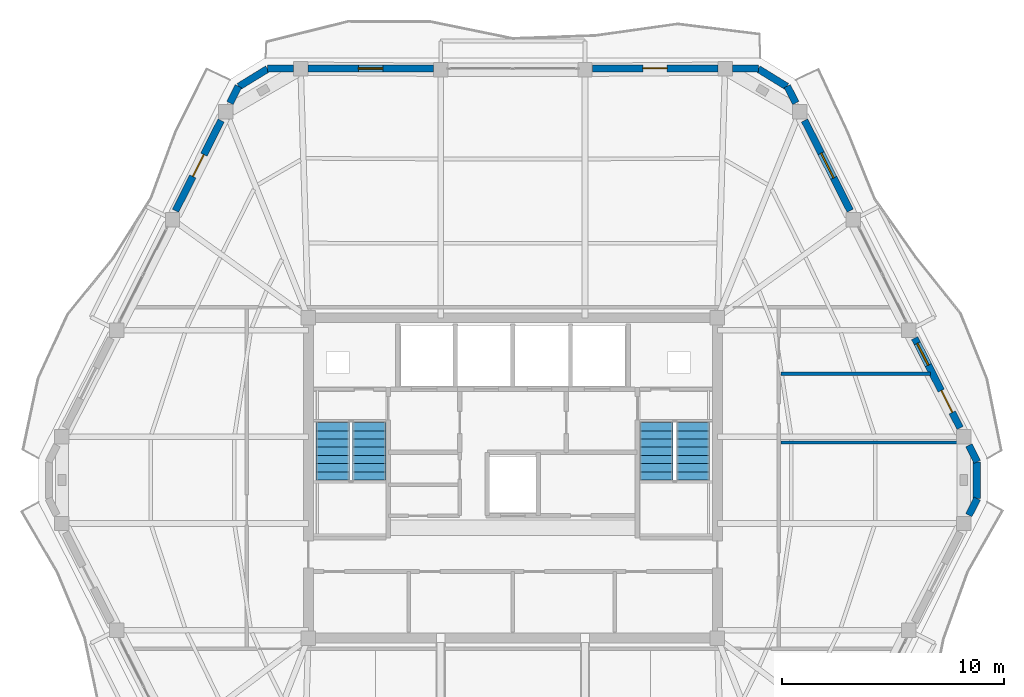
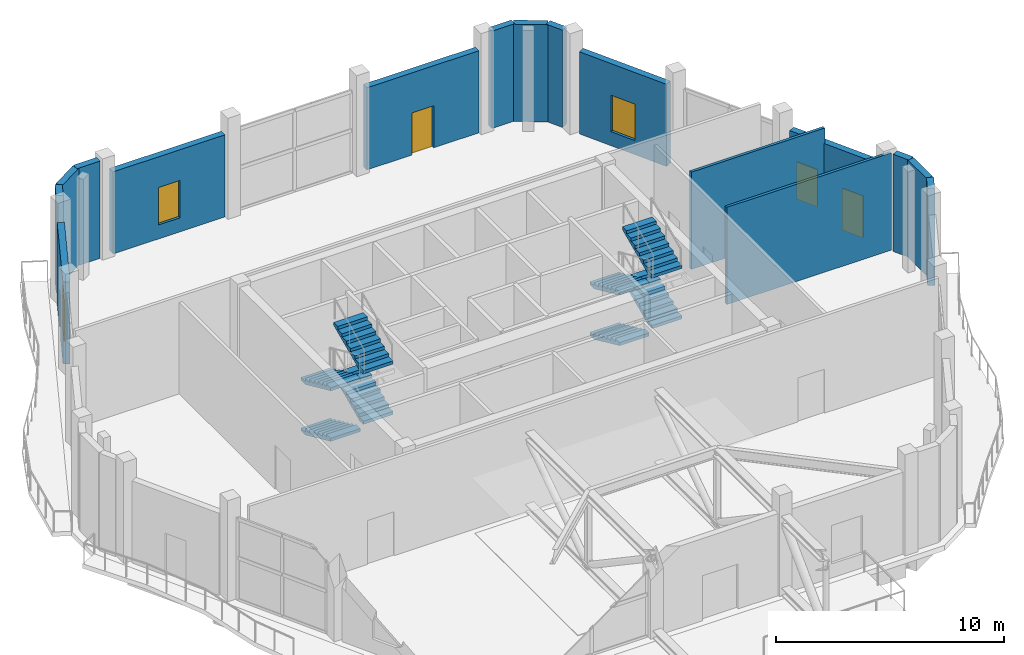
# One storey, part 20 of 23: 16 walls, 8 stair flights, 3 doors, 3 windows, 6 openings, 2 elements without a shape of their own.
"""IFC4 building model written with IfcOpenShell, lengths in metres."""

from ifc_helpers import new_model, si_unit, direction, frame, frame_2d, origin, place, context, subcontext, project, spatial, polyline, rectangle, outline, extrude, material, layer, layer_set, type_object, element, fill, aggregate, save


model = new_model("IFC4")

# Units and contexts
model_context = context("Model", 3, precision=1e-05, world=origin(), true_north=direction((0.0, 1.0)))
body_context = subcontext(model_context, "Body", "Model", "MODEL_VIEW")
ifc_project = project(units=[si_unit("LENGTHUNIT", "METRE"), si_unit("AREAUNIT", "SQUARE_METRE"), si_unit("VOLUMEUNIT", "CUBIC_METRE"), si_unit("PLANEANGLEUNIT", "RADIAN"), si_unit("MASSUNIT", "GRAM", prefix="KILO")], contexts=[model_context])

# Site, building, storey
site_placement = place(None, origin())
site = spatial("IfcSite", under=ifc_project, at=site_placement, CompositionType="ELEMENT")
building_placement = place(site_placement, origin())
building = spatial("IfcBuilding", under=site, at=building_placement, Name="Cinnabar Lancet Tower", CompositionType="ELEMENT")
storey_placement = place(building_placement, frame((0.0, 0.0, 278.10009765625)))
storey = spatial("IfcBuildingStorey", under=building, at=storey_placement, Name="L74", CompositionType="ELEMENT", Elevation=278.10009765625)

# Walls
ifc_material_1 = material(Name="Moisture-resistant cement-board plumbing wall", Category="masonry")
ifc_layer_1 = layer(ifc_material_1, 0.139892578125)
ifc_layer_set_1 = layer_set([ifc_layer_1], Name="Moisture-resistant cement-board plumbing wall")
wall_type_1 = type_object("IfcWallType", Name="ARC-WL-WET-140", PredefinedType="PLUMBINGWALL", material=ifc_layer_set_1)
wall_1_placement = place(storey_placement, frame((44.485107421875, 27.5, 0.0), z_axis=(0.0, 0.0, 1.0), x_axis=(1.0, 0.0, 0.0)))
element("IfcWall", 1, at=wall_1_placement, inside=storey, type_object=wall_type_1, Name="PW-L74-WCD", PredefinedType="PLUMBINGWALL", context=body_context, shape_type="SweptSolid", body=[
    extrude(rectangle(XDim=8.32177734375, YDim=0.139892578125, at=frame_2d((4.160888671875, 0.0))), origin(), (0.0, 0.0, 1.0), 5.199951171875),
])
wall_2_placement = place(storey_placement, frame((44.485107421875, 30.60009765625, 0.0), z_axis=(0.0, 0.0, 1.0), x_axis=(1.0, 0.0, 0.0)))
element("IfcWall", 2, at=wall_2_placement, inside=storey, type_object=wall_type_1, Name="PW-L74-WCM", PredefinedType="PLUMBINGWALL", context=body_context, shape_type="SweptSolid", body=[
    extrude(rectangle(XDim=6.75390625, YDim=0.139892578125, at=frame_2d((3.376953125, 0.0))), origin(), (0.0, 0.0, 1.0), 5.199951171875),
])
ifc_material_2 = material(Name="Warm buff clay brick", Category="masonry")
ifc_layer_2 = layer(ifc_material_2, 0.320068359375)
ifc_layer_set_2 = layer_set([ifc_layer_2], Name="Warm buff clay brick")
wall_type_2 = type_object("IfcWallType", Name="ENV-WL-BRK-BUF-320", PredefinedType="STANDARD", material=ifc_layer_set_2)
wall_3_placement = place(storey_placement, frame((53.322998046875, 24.97802734375, 0.0), z_axis=(0.0, 0.0, 1.0), x_axis=(0.0, 1.0, 0.0)))
element("IfcWall", 3, at=wall_3_placement, inside=storey, type_object=wall_type_2, Name="L74 Chamfered Corner Brick Pier 3.1", PredefinedType="STANDARD", context=body_context, shape_type="SweptSolid", body=[
    extrude(rectangle(XDim=1.64404296875, YDim=0.320068359375, at=frame_2d((0.822021484375, 0.0))), origin(), (0.0, 0.0, 1.0), 5.199951171875),
])
wall_4_placement = place(storey_placement, frame((44.7548828125, 43.553955078125, 0.0), z_axis=(0.0, 0.0, 1.0), x_axis=(-0.851813523106, 0.523845131555, 0.0)))
element("IfcWall", 4, at=wall_4_placement, inside=storey, type_object=wall_type_2, Name="L74 Chamfered Corner Brick Pier 4.1", PredefinedType="STANDARD", context=body_context, shape_type="SweptSolid", body=[
    extrude(rectangle(XDim=1.511962890625, YDim=0.320068359375, at=frame_2d((0.755859375, 0.0))), origin(), (0.0, 0.0, 1.0), 5.199951171875),
])
wall_5_placement = place(storey_placement, frame((21.3330078125, 44.345947265625, 0.0), z_axis=(0.0, 0.0, 1.0), x_axis=(-0.851857826631, -0.523773083698, 0.0)))
element("IfcWall", 5, at=wall_5_placement, inside=storey, type_object=wall_type_2, Name="L74 Chamfered Corner Brick Pier 5.1", PredefinedType="STANDARD", context=body_context, shape_type="SweptSolid", body=[
    extrude(rectangle(XDim=1.51220703125, YDim=0.320068359375, at=frame_2d((0.756103515625, 0.0))), origin(), (0.0, 0.0, 1.0), 5.199951171875),
])
wall_6_placement = place(storey_placement, frame((52.965087890625, 24.22412109375, 0.0), z_axis=(0.0, 0.0, 1.0), x_axis=(0.45152529514, 0.892258319014, 0.0)))
element("IfcWall", 6, at=wall_6_placement, inside=storey, type_object=wall_type_2, Name="L74 Face 2 Masonry Bay Wall 5", PredefinedType="STANDARD", context=body_context, shape_type="SweptSolid", body=[
    extrude(rectangle(XDim=0.8369140625, YDim=0.320068359375, at=frame_2d((0.41845703125, 0.0))), origin(), (0.0, 0.0, 1.0), 5.199951171875),
])
wall_7_placement = place(storey_placement, frame((53.343017578125, 26.62890625, 0.0), z_axis=(0.0, 0.0, 1.0), x_axis=(-0.451407809369, 0.892317762706, 0.0)))
element("IfcWall", 7, at=wall_7_placement, inside=storey, type_object=wall_type_2, Name="L74 Face 3 Masonry Bay Wall 1", PredefinedType="STANDARD", context=body_context, shape_type="SweptSolid", body=[
    extrude(rectangle(XDim=0.837158203125, YDim=0.320068359375, at=frame_2d((0.41845703125, 0.0))), origin(), (0.0, 0.0, 1.0), 5.199951171875),
])

# Wall, openings, door, window
wall_8_placement = place(storey_placement, frame((52.571044921875, 28.156005859375, 0.0), z_axis=(0.0, 0.0, 1.0), x_axis=(-0.451557557387, 0.892241992044, 0.0)))
wall_8 = element("IfcWall", 8, at=wall_8_placement, inside=storey, type_object=wall_type_2, Name="L74 Face 3 Masonry Bay Wall 2", PredefinedType="STANDARD", context=body_context, shape_type="SweptSolid", body=[
    extrude(rectangle(XDim=4.53564453125, YDim=0.320068359375, at=frame_2d((2.267822265625, 0.0))), origin(), (0.0, 0.0, 1.0), 4.389892578125),
])
opening_1_placement = place(wall_8_placement, frame((0.781982421875, 0.0, 0.0)))
opening_1 = element("IfcOpeningElement", 9, at=opening_1_placement, cuts=wall_8, Name="Opening TD-01", PredefinedType="OPENING", context=body_context, shape_type="SweptSolid", body=[
    extrude(rectangle(XDim=1.10009765625, YDim=2.25, at=frame_2d((0.550048828125, 1.125))), frame((0.0, 0.169921875, 0.0), z_axis=(0.0, -1.0, 0.0), x_axis=(1.0, 0.0, 0.0)), (0.0, 0.0, 1.0), 0.340087890625),
])
opening_2_placement = place(wall_8_placement, frame((3.173095703125, 0.0, 0.75)))
opening_2 = element("IfcOpeningElement", 10, at=opening_2_placement, cuts=wall_8, Name="Opening WN-04", PredefinedType="OPENING", context=body_context, shape_type="SweptSolid", body=[
    extrude(rectangle(XDim=1.10009765625, YDim=2.0, at=frame_2d((0.550048828125, 1.0))), frame((0.0, 0.169921875, 0.0), z_axis=(0.0, -1.0, 0.0), x_axis=(1.0, 0.0, 0.0)), (0.0, 0.0, 1.0), 0.340087890625),
])
ifc_material_3 = material(Name="Thermally broken low-E glazed balcony terrace door", Category="wood")
door_type = type_object("IfcDoorType", Name="ARC-DR-BALC", OperationType="NOTDEFINED", PredefinedType="DOOR", material=ifc_material_3)
door_1_placement = place(opening_1_placement, origin())
door_1 = element("IfcDoor", 11, at=door_1_placement, inside=storey, type_object=door_type, Name="L74 Face 3 Glazed Terrace Door", OperationType="SINGLE_SWING_RIGHT", OverallHeight=2.25, OverallWidth=1.10009765625, PredefinedType="DOOR", context=body_context, shape_type="SweptSolid", body=[
    extrude(rectangle(XDim=1.10009765625, YDim=2.25, at=frame_2d((0.550048828125, 1.125))), frame((0.0, 0.02490234375, 0.0), z_axis=(0.0, -1.0, 0.0), x_axis=(1.0, 0.0, 0.0)), (0.0, 0.0, 1.0), 0.050048828125),
])
fill(opening_1, door_1)
ifc_material_4 = material(Name="Thermally broken bronze-anodized aluminium tall lancet window", Category="aluminium")
window_type_1 = type_object("IfcWindowType", Name="ENV-WN-LANCET-1100", PartitioningType="SINGLE_PANEL", PredefinedType="WINDOW", material=ifc_material_4)
window_1_placement = place(opening_2_placement, origin())
window_1 = element("IfcWindow", 12, at=window_1_placement, inside=storey, type_object=window_type_1, Name="L74 Split-Bay Gothic Lancet Window 276", OverallHeight=2.0, OverallWidth=1.10009765625, PartitioningType="SINGLE_PANEL", PredefinedType="WINDOW", context=body_context, shape_type="SweptSolid", body=[
    extrude(rectangle(XDim=1.10009765625, YDim=2.0, at=frame_2d((0.550048828125, 1.0))), frame((0.0, 0.030029296875, 0.0), z_axis=(0.0, -1.0, 0.0), x_axis=(1.0, 0.0, 0.0)), (0.0, 0.0, 1.0), 0.06005859375),
])
fill(opening_2, window_1)

# Wall, opening, window
wall_9_placement = place(storey_placement, frame((47.614013671875, 37.955078125, 0.0), z_axis=(0.0, 0.0, 1.0), x_axis=(-0.451449947598, 0.89229644447, 0.0)))
wall_9 = element("IfcWall", 13, at=wall_9_placement, inside=storey, type_object=wall_type_2, Name="L74 Face 3 Masonry Bay Wall 4", PredefinedType="STANDARD", context=body_context, shape_type="SweptSolid", body=[
    extrude(rectangle(XDim=4.558837890625, YDim=0.320068359375, at=frame_2d((2.279296875, 0.0))), origin(), (0.0, 0.0, 1.0), 4.389892578125),
])
opening_3_placement = place(wall_9_placement, frame((1.654052734375, 0.0, 0.75)))
opening_3 = element("IfcOpeningElement", 14, at=opening_3_placement, cuts=wall_9, Name="Opening WN-03", PredefinedType="OPENING", context=body_context, shape_type="SweptSolid", body=[
    extrude(rectangle(XDim=1.25, YDim=1.949951171875, at=frame_2d((0.625, 0.97509765625))), frame((0.0, 0.169921875, 0.0), z_axis=(0.0, -1.0, 0.0), x_axis=(1.0, 0.0, 0.0)), (0.0, 0.0, 1.0), 0.340087890625),
])
ifc_material_5 = material(Name="Thermally broken bronze-anodized aluminium low-E double glazing", Category="aluminium")
window_type_2 = type_object("IfcWindowType", Name="ENV-WN-LANCET-1250", PartitioningType="SINGLE_PANEL", PredefinedType="WINDOW", material=ifc_material_5)
window_2_placement = place(opening_3_placement, origin())
window_2 = element("IfcWindow", 15, at=window_2_placement, inside=storey, type_object=window_type_2, Name="L74 Face 3 Gothic Lancet Window 4", OverallHeight=1.949951171875, OverallWidth=1.25, PartitioningType="SINGLE_PANEL", PredefinedType="WINDOW", context=body_context, shape_type="SweptSolid", body=[
    extrude(rectangle(XDim=1.25, YDim=1.949951171875, at=frame_2d((0.625, 0.97509765625))), frame((0.0, 0.030029296875, 0.0), z_axis=(0.0, -1.0, 0.0), x_axis=(1.0, 0.0, 0.0)), (0.0, 0.0, 1.0), 0.06005859375),
])
fill(opening_3, window_2)

# Walls
wall_10_placement = place(storey_placement, frame((45.157958984375, 42.81005859375, 0.0), z_axis=(0.0, 0.0, 1.0), x_axis=(-0.451456201372, 0.892293280398, 0.0)))
element("IfcWall", 16, at=wall_10_placement, inside=storey, type_object=wall_type_2, Name="L74 Face 3 Masonry Bay Wall 5", PredefinedType="STANDARD", context=body_context, shape_type="SweptSolid", body=[
    extrude(rectangle(XDim=0.8505859375, YDim=0.320068359375, at=frame_2d((0.42529296875, 0.0))), origin(), (0.0, 0.0, 1.0), 5.199951171875),
])
wall_11_placement = place(storey_placement, frame((43.471923828125, 44.3701171875, 0.0), z_axis=(0.0, 0.0, 1.0), x_axis=(-1.0, 0.0, 0.0)))
element("IfcWall", 17, at=wall_11_placement, inside=storey, type_object=wall_type_2, Name="L74 Face 4 Masonry Bay Wall 1", PredefinedType="STANDARD", context=body_context, shape_type="SweptSolid", body=[
    extrude(rectangle(XDim=1.1708984375, YDim=0.320068359375, at=frame_2d((0.58544921875, 0.0))), origin(), (0.0, 0.0, 1.0), 5.199951171875),
])

# Wall, opening, door
wall_12_placement = place(storey_placement, frame((41.64306640625, 44.3701171875, 0.0), z_axis=(0.0, 0.0, 1.0), x_axis=(-1.0, 0.0, 0.0)))
wall_12 = element("IfcWall", 18, at=wall_12_placement, inside=storey, type_object=wall_type_2, Name="L74 Face 4 Masonry Bay Wall 2", PredefinedType="STANDARD", context=body_context, shape_type="SweptSolid", body=[
    extrude(rectangle(XDim=5.66015625, YDim=0.320068359375, at=frame_2d((2.830078125, 0.0))), origin(), (0.0, 0.0, 1.0), 4.389892578125),
])
opening_4_placement = place(wall_12_placement, frame((2.280029296875, 0.0, 0.0)))
opening_4 = element("IfcOpeningElement", 19, at=opening_4_placement, cuts=wall_12, Name="Opening TD-01", PredefinedType="OPENING", context=body_context, shape_type="SweptSolid", body=[
    extrude(rectangle(XDim=1.10009765625, YDim=2.25, at=frame_2d((0.550048828125, 1.125))), frame((0.0, 0.169921875, 0.0), z_axis=(0.0, -1.0, 0.0), x_axis=(1.0, 0.0, 0.0)), (0.0, 0.0, 1.0), 0.340087890625),
])
door_2_placement = place(opening_4_placement, origin())
door_2 = element("IfcDoor", 20, at=door_2_placement, inside=storey, type_object=door_type, Name="L74 Face 4 Glazed Terrace Door", OperationType="SINGLE_SWING_LEFT", OverallHeight=2.25, OverallWidth=1.10009765625, PredefinedType="DOOR", context=body_context, shape_type="SweptSolid", body=[
    extrude(rectangle(XDim=1.10009765625, YDim=2.25, at=frame_2d((0.550048828125, 1.125))), frame((0.0, 0.02490234375, 0.0), z_axis=(0.0, -1.0, 0.0), x_axis=(1.0, 0.0, 0.0)), (0.0, 0.0, 1.0), 0.050048828125),
])
fill(opening_4, door_2)

# Wall, opening, window
wall_13_placement = place(storey_placement, frame((28.81689453125, 44.3701171875, 0.0), z_axis=(0.0, 0.0, 1.0), x_axis=(-1.0, 0.0, 0.0)))
wall_13 = element("IfcWall", 21, at=wall_13_placement, inside=storey, type_object=wall_type_2, Name="L74 Face 4 Masonry Bay Wall 4", PredefinedType="STANDARD", context=body_context, shape_type="SweptSolid", body=[
    extrude(rectangle(XDim=5.659912109375, YDim=0.320068359375, at=frame_2d((2.830078125, 0.0))), origin(), (0.0, 0.0, 1.0), 4.389892578125),
])
opening_5_placement = place(wall_13_placement, frame((2.280029296875, 0.0, 0.75)))
opening_5 = element("IfcOpeningElement", 22, at=opening_5_placement, cuts=wall_13, Name="Opening WN-04", PredefinedType="OPENING", context=body_context, shape_type="SweptSolid", body=[
    extrude(rectangle(XDim=1.10009765625, YDim=2.0, at=frame_2d((0.550048828125, 1.0))), frame((0.0, 0.169921875, 0.0), z_axis=(0.0, -1.0, 0.0), x_axis=(1.0, 0.0, 0.0)), (0.0, 0.0, 1.0), 0.340087890625),
])
window_3_placement = place(opening_5_placement, origin())
window_3 = element("IfcWindow", 23, at=window_3_placement, inside=storey, type_object=window_type_1, Name="L74 Face 4 Gothic Lancet Window 4", OverallHeight=2.0, OverallWidth=1.10009765625, PartitioningType="SINGLE_PANEL", PredefinedType="WINDOW", context=body_context, shape_type="SweptSolid", body=[
    extrude(rectangle(XDim=1.10009765625, YDim=2.0, at=frame_2d((0.550048828125, 1.0))), frame((0.0, 0.030029296875, 0.0), z_axis=(0.0, -1.0, 0.0), x_axis=(1.0, 0.0, 0.0)), (0.0, 0.0, 1.0), 0.06005859375),
])
fill(opening_5, window_3)

# Walls
wall_14_placement = place(storey_placement, frame((22.4990234375, 44.3701171875, 0.0), z_axis=(0.0, 0.0, 1.0), x_axis=(-1.0, 0.0, 0.0)))
element("IfcWall", 24, at=wall_14_placement, inside=storey, type_object=wall_type_2, Name="L74 Face 4 Masonry Bay Wall 5", PredefinedType="STANDARD", context=body_context, shape_type="SweptSolid", body=[
    extrude(rectangle(XDim=1.171142578125, YDim=0.320068359375, at=frame_2d((0.58544921875, 0.0))), origin(), (0.0, 0.0, 1.0), 5.199951171875),
])
wall_15_placement = place(storey_placement, frame((20.02587890625, 43.569091796875, 0.0), z_axis=(0.0, 0.0, 1.0), x_axis=(-0.451227648573, -0.892408880034, 0.0)))
element("IfcWall", 25, at=wall_15_placement, inside=storey, type_object=wall_type_2, Name="L74 Face 5 Masonry Bay Wall 1", PredefinedType="STANDARD", context=body_context, shape_type="SweptSolid", body=[
    extrude(rectangle(XDim=0.8505859375, YDim=0.320068359375, at=frame_2d((0.42529296875, 0.0))), origin(), (0.0, 0.0, 1.0), 5.199951171875),
])

# Wall, opening, door
wall_16_placement = place(storey_placement, frame((19.243896484375, 42.02294921875, 0.0), z_axis=(0.0, 0.0, 1.0), x_axis=(-0.451407307705, -0.892318016489, 0.0)))
wall_16 = element("IfcWall", 26, at=wall_16_placement, inside=storey, type_object=wall_type_2, Name="L74 Face 5 Masonry Bay Wall 2", PredefinedType="STANDARD", context=body_context, shape_type="SweptSolid", body=[
    extrude(rectangle(XDim=4.558837890625, YDim=0.320068359375, at=frame_2d((2.279296875, 0.0))), origin(), (0.0, 0.0, 1.0), 4.389892578125),
])
opening_6_placement = place(wall_16_placement, frame((1.72900390625, 0.0, 0.0)))
opening_6 = element("IfcOpeningElement", 27, at=opening_6_placement, cuts=wall_16, Name="Opening TD-01", PredefinedType="OPENING", context=body_context, shape_type="SweptSolid", body=[
    extrude(rectangle(XDim=1.10009765625, YDim=2.25, at=frame_2d((0.550048828125, 1.125))), frame((0.0, 0.169921875, 0.0), z_axis=(0.0, -1.0, 0.0), x_axis=(1.0, 0.0, 0.0)), (0.0, 0.0, 1.0), 0.340087890625),
])
door_3_placement = place(opening_6_placement, origin())
door_3 = element("IfcDoor", 28, at=door_3_placement, inside=storey, type_object=door_type, Name="L74 Face 5 Glazed Terrace Door", OperationType="SINGLE_SWING_RIGHT", OverallHeight=2.25, OverallWidth=1.10009765625, PredefinedType="DOOR", context=body_context, shape_type="SweptSolid", body=[
    extrude(rectangle(XDim=1.10009765625, YDim=2.25, at=frame_2d((0.550048828125, 1.125))), frame((0.0, 0.02490234375, 0.0), z_axis=(0.0, -1.0, 0.0), x_axis=(1.0, 0.0, 0.0)), (0.0, 0.0, 1.0), 0.050048828125),
])
fill(opening_6, door_3)

# Stair, stair flights
ifc_material_6 = material(Name="Concrete C40/50", Category="concrete")
stair_type = type_object("IfcStairType", Name="ST-CORE", PredefinedType="HALF_TURN_STAIR", material=ifc_material_6)
stair_1_placement = place(storey_placement, origin())
stair_1 = element("IfcStair", 29, at=stair_1_placement, inside=storey, type_object=stair_type, Name="L74 ST-1", PredefinedType="HALF_TURN_STAIR")
ifc_material_7 = material(Name="Concrete C40/50", Category="concrete")
stair_flight_type = type_object("IfcStairFlightType", Name="FLIGHT-CORE", PredefinedType="STRAIGHT", material=ifc_material_7)
stair_flight_1_placement = place(storey_placement, frame((24.27490234375, 28.39990234375, 0.0), z_axis=(0.0, 0.0, 1.0), x_axis=(0.0, -1.0, 0.0)))
stair_flight_1 = element("IfcStairFlight", 30, at=stair_flight_1_placement, type_object=stair_flight_type, Name="ST-1 flight 1", NumberOfRisers=8, NumberOfTreads=7, PredefinedType="STRAIGHT", RiserHeight=0.16875, TreadLength=0.3714, context=body_context, shape_type="SweptSolid", body=[
    extrude(outline(polyline([(0.0, 0.0), (0.0, 0.168701171875), (0.371337890625, 0.168701171875), (0.371337890625, 0.33740234375), (0.742919921875, 0.33740234375), (0.742919921875, 0.50634765625), (1.1142578125, 0.50634765625), (1.1142578125, 0.675048828125), (1.485595703125, 0.675048828125), (1.485595703125, 0.84375), (1.85693359375, 0.84375), (1.85693359375, 1.012451171875), (2.228515625, 1.012451171875), (2.228515625, 1.18115234375), (2.599853515625, 1.18115234375), (2.599853515625, 1.35009765625), (2.599853515625, 1.0166015625), (0.3623046875, 0.0), (0.0, 0.0)])), frame((0.0, 0.75, 0.0), z_axis=(0.0, -1.0, 0.0), x_axis=(1.0, 0.0, 0.0)), (0.0, 0.0, 1.0), 1.5),
])
stair_flight_2_placement = place(storey_placement, frame((25.925048828125, 25.80029296875, 1.349853515625), z_axis=(0.0, 0.0, 1.0), x_axis=(0.0, 1.0, 0.0)))
stair_flight_2 = element("IfcStairFlight", 31, at=stair_flight_2_placement, type_object=stair_flight_type, Name="ST-1 flight 2", NumberOfRisers=8, NumberOfTreads=7, PredefinedType="STRAIGHT", RiserHeight=0.16875, TreadLength=0.3714, context=body_context, shape_type="SweptSolid", body=[
    extrude(outline(polyline([(0.0, 0.0), (0.0, 0.168701171875), (0.371337890625, 0.168701171875), (0.371337890625, 0.33740234375), (0.742919921875, 0.33740234375), (0.742919921875, 0.50634765625), (1.1142578125, 0.50634765625), (1.1142578125, 0.675048828125), (1.485595703125, 0.675048828125), (1.485595703125, 0.84375), (1.85693359375, 0.84375), (1.85693359375, 1.012451171875), (2.228515625, 1.012451171875), (2.228515625, 1.18115234375), (2.599853515625, 1.18115234375), (2.599853515625, 1.35009765625), (2.599853515625, 1.0166015625), (0.3623046875, 0.0), (0.0, 0.0)])), frame((0.0, 0.75, 0.0), z_axis=(0.0, -1.0, 0.0), x_axis=(1.0, 0.0, 0.0)), (0.0, 0.0, 1.0), 1.5),
])
stair_flight_3_placement = place(storey_placement, frame((24.27490234375, 28.39990234375, 2.699951171875), z_axis=(0.0, 0.0, 1.0), x_axis=(0.0, -1.0, 0.0)))
stair_flight_3 = element("IfcStairFlight", 32, at=stair_flight_3_placement, type_object=stair_flight_type, Name="ST-1 flight 3", NumberOfRisers=8, NumberOfTreads=7, PredefinedType="STRAIGHT", RiserHeight=0.16875, TreadLength=0.3714, context=body_context, shape_type="SweptSolid", body=[
    extrude(outline(polyline([(0.0, 0.0), (0.0, 0.168701171875), (0.371337890625, 0.168701171875), (0.371337890625, 0.33740234375), (0.742919921875, 0.33740234375), (0.742919921875, 0.50634765625), (1.1142578125, 0.50634765625), (1.1142578125, 0.675048828125), (1.485595703125, 0.675048828125), (1.485595703125, 0.84375), (1.85693359375, 0.84375), (1.85693359375, 1.012451171875), (2.228515625, 1.012451171875), (2.228515625, 1.18115234375), (2.599853515625, 1.18115234375), (2.599853515625, 1.35009765625), (2.599853515625, 1.0166015625), (0.3623046875, 0.0), (0.0, 0.0)])), frame((0.0, 0.75, 0.0), z_axis=(0.0, -1.0, 0.0), x_axis=(1.0, 0.0, 0.0)), (0.0, 0.0, 1.0), 1.5),
])
stair_flight_4_placement = place(storey_placement, frame((25.925048828125, 25.80029296875, 4.0498046875), z_axis=(0.0, 0.0, 1.0), x_axis=(0.0, 1.0, 0.0)))
stair_flight_4 = element("IfcStairFlight", 33, at=stair_flight_4_placement, type_object=stair_flight_type, Name="ST-1 flight 4", NumberOfRisers=8, NumberOfTreads=7, PredefinedType="STRAIGHT", RiserHeight=0.16875, TreadLength=0.3714, context=body_context, shape_type="SweptSolid", body=[
    extrude(outline(polyline([(0.0, 0.0), (0.0, 0.168701171875), (0.371337890625, 0.168701171875), (0.371337890625, 0.33740234375), (0.742919921875, 0.33740234375), (0.742919921875, 0.50634765625), (1.1142578125, 0.50634765625), (1.1142578125, 0.675048828125), (1.485595703125, 0.675048828125), (1.485595703125, 0.84375), (1.85693359375, 0.84375), (1.85693359375, 1.012451171875), (2.228515625, 1.012451171875), (2.228515625, 1.18115234375), (2.599853515625, 1.18115234375), (2.599853515625, 1.35009765625), (2.599853515625, 1.0166015625), (0.3623046875, 0.0), (0.0, 0.0)])), frame((0.0, 0.75, 0.0), z_axis=(0.0, -1.0, 0.0), x_axis=(1.0, 0.0, 0.0)), (0.0, 0.0, 1.0), 1.5),
])
aggregate(stair_1, [stair_flight_1, stair_flight_2, stair_flight_3, stair_flight_4])

stair_2_placement = place(storey_placement, origin())
stair_2 = element("IfcStair", 34, at=stair_2_placement, inside=storey, type_object=stair_type, Name="L74 ST-2", PredefinedType="HALF_TURN_STAIR")
stair_flight_5_placement = place(storey_placement, frame((38.875, 28.39990234375, 0.0), z_axis=(0.0, 0.0, 1.0), x_axis=(0.0, -1.0, 0.0)))
stair_flight_5 = element("IfcStairFlight", 35, at=stair_flight_5_placement, type_object=stair_flight_type, Name="ST-2 flight 1", NumberOfRisers=8, NumberOfTreads=7, PredefinedType="STRAIGHT", RiserHeight=0.16875, TreadLength=0.3714, context=body_context, shape_type="SweptSolid", body=[
    extrude(outline(polyline([(0.0, 0.0), (0.0, 0.168701171875), (0.371337890625, 0.168701171875), (0.371337890625, 0.33740234375), (0.742919921875, 0.33740234375), (0.742919921875, 0.50634765625), (1.1142578125, 0.50634765625), (1.1142578125, 0.675048828125), (1.485595703125, 0.675048828125), (1.485595703125, 0.84375), (1.85693359375, 0.84375), (1.85693359375, 1.012451171875), (2.228515625, 1.012451171875), (2.228515625, 1.18115234375), (2.599853515625, 1.18115234375), (2.599853515625, 1.35009765625), (2.599853515625, 1.0166015625), (0.3623046875, 0.0), (0.0, 0.0)])), frame((0.0, 0.75, 0.0), z_axis=(0.0, -1.0, 0.0), x_axis=(1.0, 0.0, 0.0)), (0.0, 0.0, 1.0), 1.5),
])
stair_flight_6_placement = place(storey_placement, frame((40.52490234375, 25.80029296875, 1.349853515625), z_axis=(0.0, 0.0, 1.0), x_axis=(0.0, 1.0, 0.0)))
stair_flight_6 = element("IfcStairFlight", 36, at=stair_flight_6_placement, type_object=stair_flight_type, Name="ST-2 flight 2", NumberOfRisers=8, NumberOfTreads=7, PredefinedType="STRAIGHT", RiserHeight=0.16875, TreadLength=0.3714, context=body_context, shape_type="SweptSolid", body=[
    extrude(outline(polyline([(0.0, 0.0), (0.0, 0.168701171875), (0.371337890625, 0.168701171875), (0.371337890625, 0.33740234375), (0.742919921875, 0.33740234375), (0.742919921875, 0.50634765625), (1.1142578125, 0.50634765625), (1.1142578125, 0.675048828125), (1.485595703125, 0.675048828125), (1.485595703125, 0.84375), (1.85693359375, 0.84375), (1.85693359375, 1.012451171875), (2.228515625, 1.012451171875), (2.228515625, 1.18115234375), (2.599853515625, 1.18115234375), (2.599853515625, 1.35009765625), (2.599853515625, 1.0166015625), (0.3623046875, 0.0), (0.0, 0.0)])), frame((0.0, 0.75, 0.0), z_axis=(0.0, -1.0, 0.0), x_axis=(1.0, 0.0, 0.0)), (0.0, 0.0, 1.0), 1.5),
])
stair_flight_7_placement = place(storey_placement, frame((38.875, 28.39990234375, 2.699951171875), z_axis=(0.0, 0.0, 1.0), x_axis=(0.0, -1.0, 0.0)))
stair_flight_7 = element("IfcStairFlight", 37, at=stair_flight_7_placement, type_object=stair_flight_type, Name="ST-2 flight 3", NumberOfRisers=8, NumberOfTreads=7, PredefinedType="STRAIGHT", RiserHeight=0.16875, TreadLength=0.3714, context=body_context, shape_type="SweptSolid", body=[
    extrude(outline(polyline([(0.0, 0.0), (0.0, 0.168701171875), (0.371337890625, 0.168701171875), (0.371337890625, 0.33740234375), (0.742919921875, 0.33740234375), (0.742919921875, 0.50634765625), (1.1142578125, 0.50634765625), (1.1142578125, 0.675048828125), (1.485595703125, 0.675048828125), (1.485595703125, 0.84375), (1.85693359375, 0.84375), (1.85693359375, 1.012451171875), (2.228515625, 1.012451171875), (2.228515625, 1.18115234375), (2.599853515625, 1.18115234375), (2.599853515625, 1.35009765625), (2.599853515625, 1.0166015625), (0.3623046875, 0.0), (0.0, 0.0)])), frame((0.0, 0.75, 0.0), z_axis=(0.0, -1.0, 0.0), x_axis=(1.0, 0.0, 0.0)), (0.0, 0.0, 1.0), 1.5),
])
stair_flight_8_placement = place(storey_placement, frame((40.52490234375, 25.80029296875, 4.0498046875), z_axis=(0.0, 0.0, 1.0), x_axis=(0.0, 1.0, 0.0)))
stair_flight_8 = element("IfcStairFlight", 38, at=stair_flight_8_placement, type_object=stair_flight_type, Name="ST-2 flight 4", NumberOfRisers=8, NumberOfTreads=7, PredefinedType="STRAIGHT", RiserHeight=0.16875, TreadLength=0.3714, context=body_context, shape_type="SweptSolid", body=[
    extrude(outline(polyline([(0.0, 0.0), (0.0, 0.168701171875), (0.371337890625, 0.168701171875), (0.371337890625, 0.33740234375), (0.742919921875, 0.33740234375), (0.742919921875, 0.50634765625), (1.1142578125, 0.50634765625), (1.1142578125, 0.675048828125), (1.485595703125, 0.675048828125), (1.485595703125, 0.84375), (1.85693359375, 0.84375), (1.85693359375, 1.012451171875), (2.228515625, 1.012451171875), (2.228515625, 1.18115234375), (2.599853515625, 1.18115234375), (2.599853515625, 1.35009765625), (2.599853515625, 1.0166015625), (0.3623046875, 0.0), (0.0, 0.0)])), frame((0.0, 0.75, 0.0), z_axis=(0.0, -1.0, 0.0), x_axis=(1.0, 0.0, 0.0)), (0.0, 0.0, 1.0), 1.5),
])
aggregate(stair_2, [stair_flight_5, stair_flight_6, stair_flight_7, stair_flight_8])

save(model, "model.ifc")
